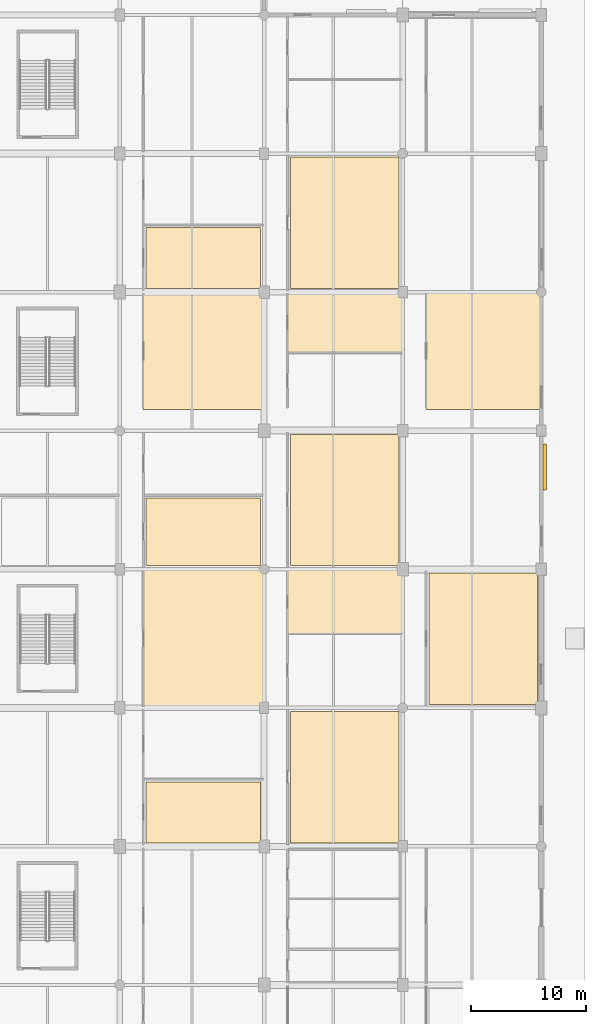
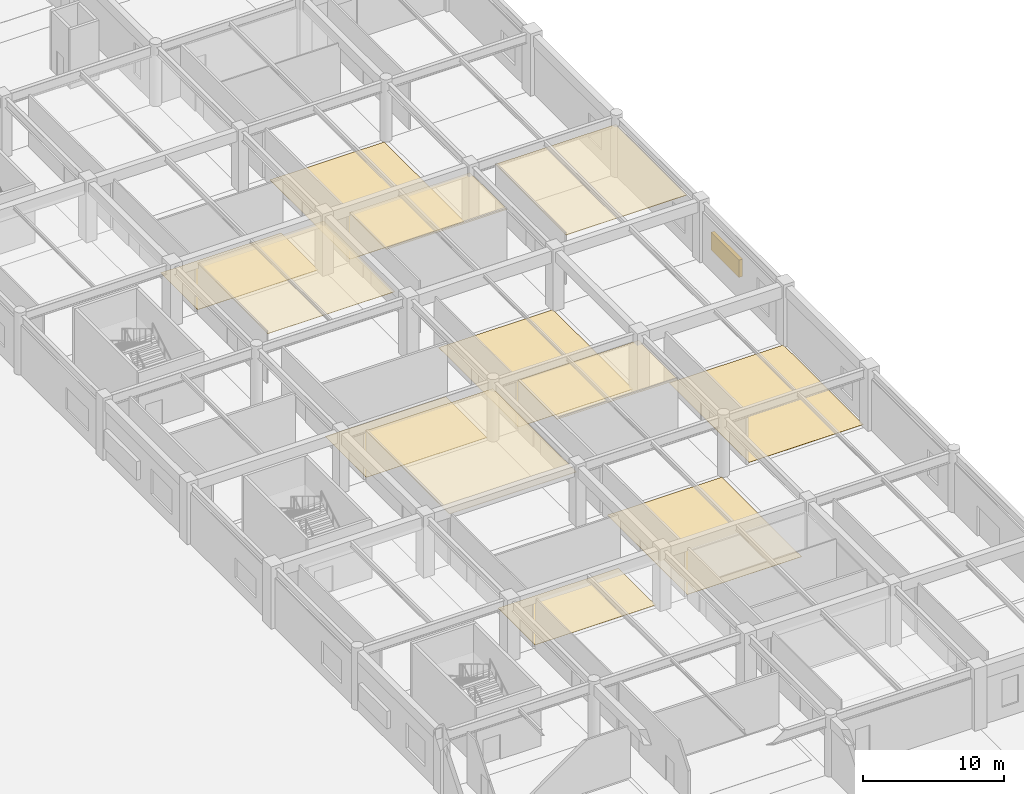
# One storey, part 57 of 69: 12 coverings, 1 shading device.
"""IFC4 building model written with IfcOpenShell, lengths in metres."""

from ifc_helpers import new_model, si_unit, direction, frame, origin, origin_2d, place, context, subcontext, project, spatial, polyline, rectangle, outline, extrude, material, layer, layer_set, type_object, element, save


model = new_model("IFC4")

# Units and contexts
model_context = context("Model", 3, precision=1e-05, world=origin(), true_north=direction((0.0, 1.0)))
body_context = subcontext(model_context, "Body", "Model", "MODEL_VIEW")
ifc_project = project(units=[si_unit("LENGTHUNIT", "METRE"), si_unit("AREAUNIT", "SQUARE_METRE"), si_unit("VOLUMEUNIT", "CUBIC_METRE"), si_unit("PLANEANGLEUNIT", "RADIAN"), si_unit("MASSUNIT", "GRAM", prefix="KILO")], contexts=[model_context])

# Site, building, storey
site_placement = place(None, origin())
site = spatial("IfcSite", under=ifc_project, at=site_placement, CompositionType="ELEMENT")
building_placement = place(site_placement, origin())
building = spatial("IfcBuilding", under=site, at=building_placement, Name="Kazenohara Klinker Stadium", CompositionType="ELEMENT")
storey_placement = place(building_placement, origin())
storey = spatial("IfcBuildingStorey", under=building, at=storey_placement, Name="L00", CompositionType="ELEMENT", Elevation=0.0)

# Coverings
ifc_material_1 = material(Name="Perforated acoustic mineral-fibre ceiling tile", Category="gypsum")
ifc_layer_1 = layer(ifc_material_1, 0.030029296875)
ifc_layer_set_1 = layer_set([ifc_layer_1], Name="Perforated acoustic mineral-fibre ceiling tile")
covering_type_1 = type_object("IfcCoveringType", Name="COV-CEIL-01", PredefinedType="CEILING", material=ifc_layer_set_1)
covering_1_placement = place(storey_placement, frame((0.0, 0.0, 4.35009765625)))
element("IfcCovering", 1, at=covering_1_placement, inside=storey, type_object=covering_type_1, Name="Suspended acoustic ceiling CL01 Spectator First-Aid Medical Clinic L00-1508A", PredefinedType="CEILING", context=body_context, shape_type="SweptSolid", body=[
    extrude(outline(polyline([(189.510009765625, 97.85009765625), (199.93994140625, 97.85009765625), (199.93994140625, 107.9599609375), (189.510009765625, 107.9599609375), (189.510009765625, 97.85009765625)])), origin(), (0.0, 0.0, 1.0), 0.02978515625),
])
covering_2_placement = place(storey_placement, frame((0.0, 0.0, 4.35009765625)))
element("IfcCovering", 2, at=covering_2_placement, inside=storey, type_object=covering_type_1, Name="Suspended acoustic ceiling CL01 Street-Front Bakery and Cafe Restaurant L00-1606B", PredefinedType="CEILING", context=body_context, shape_type="SweptSolid", body=[
    extrude(outline(polyline([(202.010009765625, 78.368896484375), (211.93994140625, 78.368896484375), (211.93994140625, 83.9599609375), (202.010009765625, 83.9599609375), (202.010009765625, 78.368896484375)])), origin(), (0.0, 0.0, 1.0), 0.02978515625),
])
ifc_material_2 = material(Name="Slatted Hokkaido cedar acoustic baffle ceiling", Category="wood")
ifc_layer_2 = layer(ifc_material_2, 0.0400390625)
ifc_layer_set_2 = layer_set([ifc_layer_2], Name="Slatted Hokkaido cedar acoustic baffle ceiling")
covering_type_2 = type_object("IfcCoveringType", Name="COV-CEIL-02", PredefinedType="CEILING", material=ifc_layer_set_2)
covering_3_placement = place(storey_placement, frame((0.0, 0.0, 4.340087890625)))
element("IfcCovering", 3, at=covering_3_placement, inside=storey, type_object=covering_type_2, Name="Suspended acoustic ceiling CL02 Civic Stadium Heritage Museum Exhibition Gallery L00-1506A", PredefinedType="CEILING", context=body_context, shape_type="SweptSolid", body=[
    extrude(outline(polyline([(189.510009765625, 72.0400390625), (199.93994140625, 72.0400390625), (199.93994140625, 83.9599609375), (189.510009765625, 83.9599609375), (189.510009765625, 72.0400390625)])), origin(), (0.0, 0.0, 1.0), 0.039794921875),
])
covering_4_placement = place(storey_placement, frame((0.0, 0.0, 4.340087890625)))
element("IfcCovering", 4, at=covering_4_placement, inside=storey, type_object=covering_type_2, Name="Suspended acoustic ceiling CL02 Winter-Garden Retail Galleria Boutique L00-1608B", PredefinedType="CEILING", context=body_context, shape_type="SweptSolid", body=[
    extrude(outline(polyline([(202.010009765625, 102.717041015625), (211.93994140625, 102.717041015625), (211.93994140625, 107.9599609375), (202.010009765625, 107.9599609375), (202.010009765625, 102.717041015625)])), origin(), (0.0, 0.0, 1.0), 0.039794921875),
])
covering_5_placement = place(storey_placement, frame((0.0, 0.0, 4.340087890625)))
element("IfcCovering", 5, at=covering_5_placement, inside=storey, type_object=covering_type_2, Name="Suspended acoustic ceiling CL02 Supporter Merchandising Retail Shop L00-1708A", PredefinedType="CEILING", context=body_context, shape_type="SweptSolid", body=[
    extrude(outline(polyline([(214.010009765625, 97.85009765625), (223.93994140625, 97.85009765625), (223.93994140625, 107.9599609375), (214.010009765625, 107.9599609375), (214.010009765625, 97.85009765625)])), origin(), (0.0, 0.0, 1.0), 0.039794921875),
])
ifc_material_3 = material(Name="Slip-resistant honed basalt terrazzo flooring", Category="masonry")
ifc_layer_3 = layer(ifc_material_3, 0.02001953125)
ifc_layer_set_3 = layer_set([ifc_layer_3], Name="Slip-resistant honed basalt terrazzo flooring")
covering_type_3 = type_object("IfcCoveringType", Name="COV-FLR-01", PredefinedType="FLOORING", material=ifc_layer_set_3)
covering_6_placement = place(storey_placement, origin())
element("IfcCovering", 6, at=covering_6_placement, inside=storey, type_object=covering_type_3, Name="Interior floor finish FL01 Spectator First-Aid Medical Clinic L00-1505A", PredefinedType="FLOORING", context=body_context, shape_type="SweptSolid", body=[
    extrude(outline(polyline([(189.780029296875, 60.31005859375), (199.669921875, 60.31005859375), (199.669921875, 65.5947265625), (189.780029296875, 65.5947265625), (189.780029296875, 60.31005859375)])), origin(), (0.0, 0.0, 1.0), 0.02001953125),
])
covering_7_placement = place(storey_placement, origin())
element("IfcCovering", 7, at=covering_7_placement, inside=storey, type_object=covering_type_3, Name="Interior floor finish FL01 Civic Stadium Heritage Museum Exhibition Gallery L00-1509A", PredefinedType="FLOORING", context=body_context, shape_type="SweptSolid", body=[
    extrude(outline(polyline([(189.780029296875, 108.31005859375), (199.669921875, 108.31005859375), (199.669921875, 113.5947265625), (189.780029296875, 113.5947265625), (189.780029296875, 108.31005859375)])), origin(), (0.0, 0.0, 1.0), 0.02001953125),
])
covering_8_placement = place(storey_placement, origin())
element("IfcCovering", 8, at=covering_8_placement, inside=storey, type_object=covering_type_3, Name="Interior floor finish FL01 Spectator First-Aid Medical Clinic L00-1605A", PredefinedType="FLOORING", context=body_context, shape_type="SweptSolid", body=[
    extrude(outline(polyline([(202.280029296875, 60.31005859375), (211.669921875, 60.31005859375), (211.669921875, 71.68994140625), (202.280029296875, 71.68994140625), (202.280029296875, 60.31005859375)])), origin(), (0.0, 0.0, 1.0), 0.02001953125),
])
covering_9_placement = place(storey_placement, origin())
element("IfcCovering", 9, at=covering_9_placement, inside=storey, type_object=covering_type_3, Name="Interior floor finish FL01 Civic Stadium Heritage Museum Exhibition Gallery L00-1609A", PredefinedType="FLOORING", context=body_context, shape_type="SweptSolid", body=[
    extrude(outline(polyline([(202.280029296875, 108.31005859375), (211.669921875, 108.31005859375), (211.669921875, 119.68994140625), (202.280029296875, 119.68994140625), (202.280029296875, 108.31005859375)])), origin(), (0.0, 0.0, 1.0), 0.02001953125),
])
covering_10_placement = place(storey_placement, origin())
element("IfcCovering", 10, at=covering_10_placement, inside=storey, type_object=covering_type_3, Name="Interior floor finish FL01 Spectator First-Aid Medical Clinic L00-1706A", PredefinedType="FLOORING", context=body_context, shape_type="SweptSolid", body=[
    extrude(outline(polyline([(214.280029296875, 72.31005859375), (223.669921875, 72.31005859375), (223.669921875, 83.68994140625), (214.280029296875, 83.68994140625), (214.280029296875, 72.31005859375)])), origin(), (0.0, 0.0, 1.0), 0.02001953125),
])
ifc_material_4 = material(Name="Cushioned EPDM sports rubber flooring", Category="rubber")
ifc_layer_4 = layer(ifc_material_4, 0.014892578125)
ifc_layer_set_4 = layer_set([ifc_layer_4], Name="Cushioned EPDM sports rubber flooring")
covering_type_4 = type_object("IfcCoveringType", Name="COV-FLR-02", PredefinedType="FLOORING", material=ifc_layer_set_4)
covering_11_placement = place(storey_placement, origin())
element("IfcCovering", 11, at=covering_11_placement, inside=storey, type_object=covering_type_4, Name="Interior floor finish FL02 Supporter Merchandising Retail Shop L00-1507A", PredefinedType="FLOORING", context=body_context, shape_type="SweptSolid", body=[
    extrude(outline(polyline([(189.780029296875, 84.31005859375), (199.669921875, 84.31005859375), (199.669921875, 90.1787109375), (189.780029296875, 90.1787109375), (189.780029296875, 84.31005859375)])), origin(), (0.0, 0.0, 1.0), 0.014892578125),
])
covering_12_placement = place(storey_placement, origin())
element("IfcCovering", 12, at=covering_12_placement, inside=storey, type_object=covering_type_4, Name="Interior floor finish FL02 Supporter Merchandising Retail Shop L00-1607A", PredefinedType="FLOORING", context=body_context, shape_type="SweptSolid", body=[
    extrude(outline(polyline([(202.280029296875, 84.31005859375), (211.669921875, 84.31005859375), (211.669921875, 95.68994140625), (202.280029296875, 95.68994140625), (202.280029296875, 84.31005859375)])), origin(), (0.0, 0.0, 1.0), 0.014892578125),
])

# Shading device
ifc_material_5 = material(Name="Perforated clinker-brick and bronze louvre grille", Category="masonry")
shading_device_type = type_object("IfcShadingDeviceType", Name="SHD-LOUV-02", PredefinedType="JALOUSIE", material=ifc_material_5)
shading_device_placement = place(storey_placement, frame((224.31494140625, 92.869873046875, 1.35009765625), z_axis=(0.0, 0.0, 1.0), x_axis=(0.0, 1.0, 0.0)))
element("IfcShadingDevice", 13, at=shading_device_placement, inside=storey, type_object=shading_device_type, Name="Perforated clinker-brick louvre screen LV02-16", PredefinedType="JALOUSIE", context=body_context, shape_type="SweptSolid", body=[
    extrude(rectangle(XDim=4.0, YDim=0.300048828125, at=origin_2d()), origin(), (0.0, 0.0, 1.0), 1.5),
])

save(model, "model.ifc")
